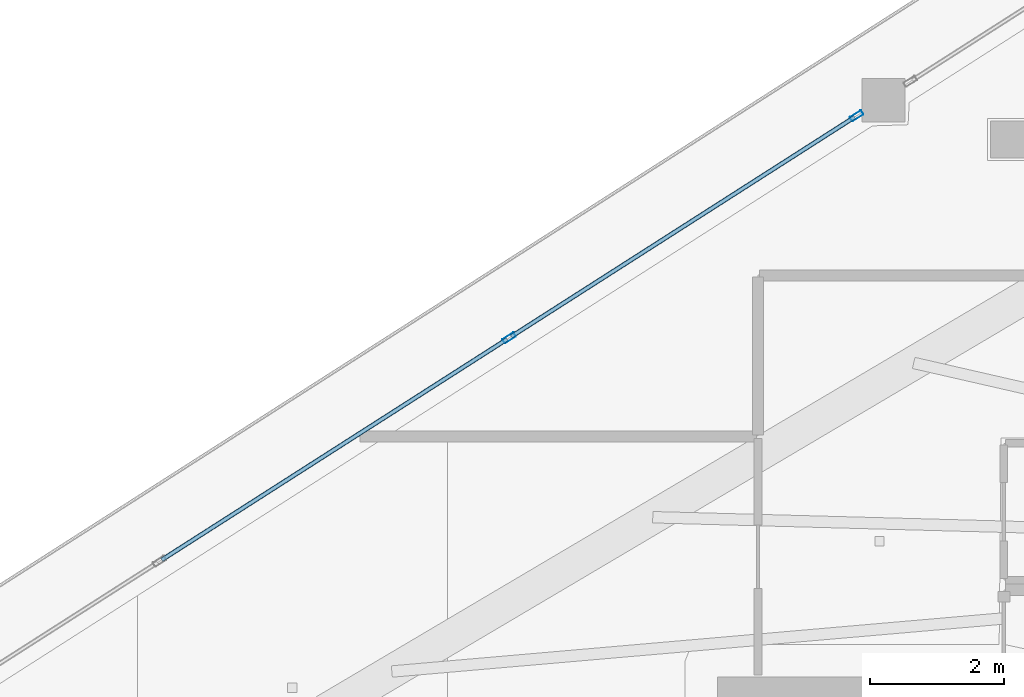
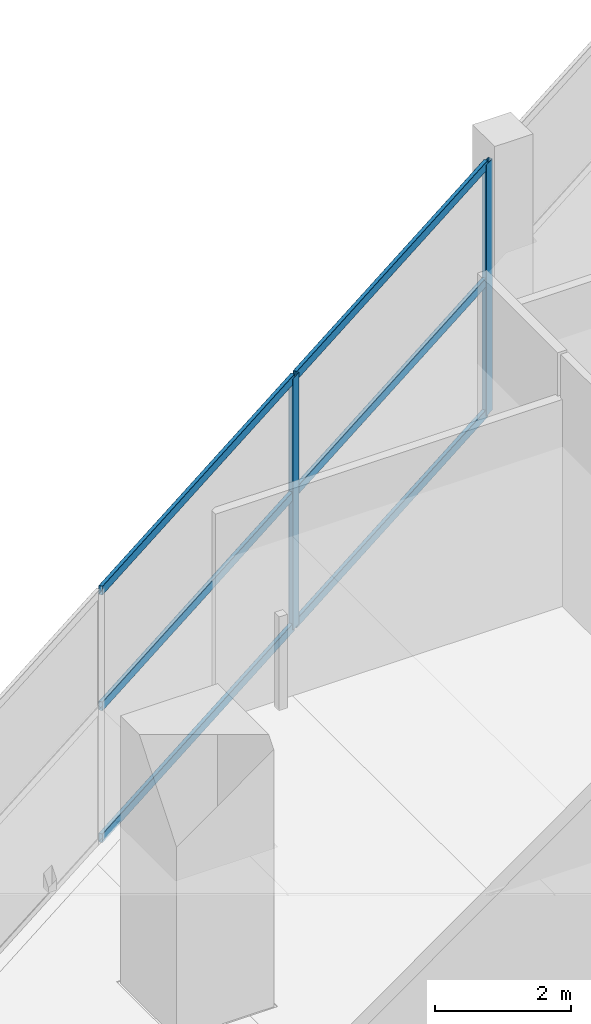
# One storey, part 14 of 36: 8 members, 1 element without a shape of its own.
"""IFC4 building model written with IfcOpenShell, lengths in metres."""

from ifc_helpers import new_model, si_unit, direction, frame, origin, origin_2d, place, context, subcontext, project, spatial, hollow_rectangle, extrude, material, layer, layer_set, material_profile, profile_set, type_object, element, aggregate, save


model = new_model("IFC4")

# Units and contexts
model_context = context("Model", 3, precision=1e-05, world=origin(), true_north=direction((0.0, 1.0)))
body_context = subcontext(model_context, "Body", "Model", "MODEL_VIEW")
ifc_project = project(units=[si_unit("LENGTHUNIT", "METRE"), si_unit("AREAUNIT", "SQUARE_METRE"), si_unit("VOLUMEUNIT", "CUBIC_METRE"), si_unit("PLANEANGLEUNIT", "RADIAN"), si_unit("MASSUNIT", "GRAM", prefix="KILO")], contexts=[model_context])

# Site, building, storey
site_placement = place(None, origin())
site = spatial("IfcSite", under=ifc_project, at=site_placement, CompositionType="ELEMENT")
building_placement = place(site_placement, origin())
building = spatial("IfcBuilding", under=site, at=building_placement, Name="Qorvath Tower", CompositionType="ELEMENT")
storey_placement = place(building_placement, frame((0.0, 0.0, 255.0)))
storey = spatial("IfcBuildingStorey", under=building, at=storey_placement, Name="L59", CompositionType="ELEMENT", Elevation=255.0)

# Curtain wall, members
ifc_material_1 = material(Name="Anodised aluminium and triple low-E glass", Category="aluminium")
ifc_layer = layer(ifc_material_1, 0.179931640625)
ifc_layer_set = layer_set([ifc_layer], Name="CW-SYS-5")
curtain_wall_type = type_object("IfcCurtainWallType", Name="CW-SYS-5", PredefinedType="NOTDEFINED", material=ifc_layer_set)
curtain_wall_placement = place(storey_placement, origin())
curtain_wall = element("IfcCurtainWall", 1, at=curtain_wall_placement, inside=storey, type_object=curtain_wall_type, Name="Curtain Wall CW-5 CW-T-L59-16.3", PredefinedType="NOTDEFINED")
ifc_material_2 = material(Name="Anodised aluminium 6063-T6", Category="aluminium")
ifc_material_profile_1 = material_profile(ifc_material_2, hollow_rectangle(XDim=0.074951171875, YDim=0.199951171875, WallThickness=0.00390625, InnerFilletRadius=0.00390625, OuterFilletRadius=0.008056640625, at=origin_2d()), Name="CWM 200x75")
ifc_profile_set_1 = profile_set([ifc_material_profile_1], Name="Anodised aluminium 6063-T6")
member_type_1 = type_object("IfcMemberType", Name="CWM-200", PredefinedType="MULLION", material=ifc_profile_set_1)
member_1_placement = place(storey_placement, frame((-36.382080078125, 13.14697265625, 0.0), z_axis=(0.0, 0.0, 1.0), x_axis=(0.538526919894, -0.842608305531, 0.0)))
member_1 = element("IfcMember", 2, at=member_1_placement, type_object=member_type_1, Name="CW-5 mullion 1", PredefinedType="MULLION", context=body_context, shape_type="SweptSolid", body=[
    extrude(hollow_rectangle(XDim=0.074951171875, YDim=0.199951171875, WallThickness=0.00390625, InnerFilletRadius=0.00390625, OuterFilletRadius=0.008056640625, at=origin_2d()), origin(), (0.0, 0.0, 1.0), 4.510009765625),
])
member_2_placement = place(storey_placement, frame((-41.5791015625, 9.82568359375, 0.0), z_axis=(0.0, 0.0, 1.0), x_axis=(0.538526919894, -0.842608305531, 0.0)))
member_2 = element("IfcMember", 3, at=member_2_placement, type_object=member_type_1, Name="CW-5 mullion 2", PredefinedType="MULLION", context=body_context, shape_type="SweptSolid", body=[
    extrude(hollow_rectangle(XDim=0.074951171875, YDim=0.199951171875, WallThickness=0.00390625, InnerFilletRadius=0.00390625, OuterFilletRadius=0.008056640625, at=origin_2d()), origin(), (0.0, 0.0, 1.0), 4.510009765625),
])
ifc_material_3 = material(Name="Anodised aluminium 6063-T6", Category="aluminium")
ifc_material_profile_2 = material_profile(ifc_material_3, hollow_rectangle(XDim=0.06494140625, YDim=0.159912109375, WallThickness=0.00341796875, InnerFilletRadius=0.00341796875, OuterFilletRadius=0.007080078125, at=origin_2d()), Name="CWT 160x65")
ifc_profile_set_2 = profile_set([ifc_material_profile_2], Name="Anodised aluminium 6063-T6")
member_type_2 = type_object("IfcMemberType", Name="CWT-160", PredefinedType="USERDEFINED", material=ifc_profile_set_2)
member_3_placement = place(storey_placement, frame((-36.413818359375, 13.126708984375, 0.032470703125), z_axis=(-0.842615449384, -0.538515742071, 0.0), x_axis=(0.538515742071, -0.842615449384, 0.0)))
member_3 = element("IfcMember", 4, at=member_3_placement, type_object=member_type_2, Name="CW-5 transom 1.1", ObjectType="TRANSOM", PredefinedType="USERDEFINED", context=body_context, shape_type="SweptSolid", body=[
    extrude(hollow_rectangle(XDim=0.06494140625, YDim=0.159912109375, WallThickness=0.00341796875, InnerFilletRadius=0.00341796875, OuterFilletRadius=0.007080078125, at=origin_2d()), origin(), (0.0, 0.0, 1.0), 6.0927734375),
])
member_4_placement = place(storey_placement, frame((-36.413818359375, 13.126708984375, 2.39990234375), z_axis=(-0.842615449384, -0.538515742071, 0.0), x_axis=(0.538515742071, -0.842615449384, 0.0)))
member_4 = element("IfcMember", 5, at=member_4_placement, type_object=member_type_2, Name="CW-5 transom 1.2", ObjectType="TRANSOM", PredefinedType="USERDEFINED", context=body_context, shape_type="SweptSolid", body=[
    extrude(hollow_rectangle(XDim=0.06494140625, YDim=0.159912109375, WallThickness=0.00341796875, InnerFilletRadius=0.00341796875, OuterFilletRadius=0.007080078125, at=origin_2d()), origin(), (0.0, 0.0, 1.0), 6.0927734375),
])
member_5_placement = place(storey_placement, frame((-36.413818359375, 13.126708984375, 4.4775390625), z_axis=(-0.842615449384, -0.538515742071, 0.0), x_axis=(0.538515742071, -0.842615449384, 0.0)))
member_5 = element("IfcMember", 6, at=member_5_placement, type_object=member_type_2, Name="CW-5 transom 1.3", ObjectType="TRANSOM", PredefinedType="USERDEFINED", context=body_context, shape_type="SweptSolid", body=[
    extrude(hollow_rectangle(XDim=0.06494140625, YDim=0.159912109375, WallThickness=0.00341796875, InnerFilletRadius=0.00341796875, OuterFilletRadius=0.007080078125, at=origin_2d()), origin(), (0.0, 0.0, 1.0), 6.0927734375),
])
member_6_placement = place(storey_placement, frame((-41.610595703125, 9.805419921875, 0.032470703125), z_axis=(-0.842616949859, -0.538513394272, 0.0), x_axis=(0.538513394272, -0.842616949859, 0.0)))
member_6 = element("IfcMember", 7, at=member_6_placement, type_object=member_type_2, Name="CW-5 transom 2.1", ObjectType="TRANSOM", PredefinedType="USERDEFINED", context=body_context, shape_type="SweptSolid", body=[
    extrude(hollow_rectangle(XDim=0.06494140625, YDim=0.159912109375, WallThickness=0.00341796875, InnerFilletRadius=0.00341796875, OuterFilletRadius=0.007080078125, at=origin_2d()), origin(), (0.0, 0.0, 1.0), 6.13037109375),
])
member_7_placement = place(storey_placement, frame((-41.610595703125, 9.805419921875, 2.39990234375), z_axis=(-0.842616949859, -0.538513394272, 0.0), x_axis=(0.538513394272, -0.842616949859, 0.0)))
member_7 = element("IfcMember", 8, at=member_7_placement, type_object=member_type_2, Name="CW-5 transom 2.2", ObjectType="TRANSOM", PredefinedType="USERDEFINED", context=body_context, shape_type="SweptSolid", body=[
    extrude(hollow_rectangle(XDim=0.06494140625, YDim=0.159912109375, WallThickness=0.00341796875, InnerFilletRadius=0.00341796875, OuterFilletRadius=0.007080078125, at=origin_2d()), origin(), (0.0, 0.0, 1.0), 6.13037109375),
])
member_8_placement = place(storey_placement, frame((-41.610595703125, 9.805419921875, 4.4775390625), z_axis=(-0.842616949859, -0.538513394272, 0.0), x_axis=(0.538513394272, -0.842616949859, 0.0)))
member_8 = element("IfcMember", 9, at=member_8_placement, type_object=member_type_2, Name="CW-5 transom 2.3", ObjectType="TRANSOM", PredefinedType="USERDEFINED", context=body_context, shape_type="SweptSolid", body=[
    extrude(hollow_rectangle(XDim=0.06494140625, YDim=0.159912109375, WallThickness=0.00341796875, InnerFilletRadius=0.00341796875, OuterFilletRadius=0.007080078125, at=origin_2d()), origin(), (0.0, 0.0, 1.0), 6.13037109375),
])
aggregate(curtain_wall, [member_1, member_2, member_3, member_4, member_5, member_6, member_7, member_8])

save(model, "model.ifc")
